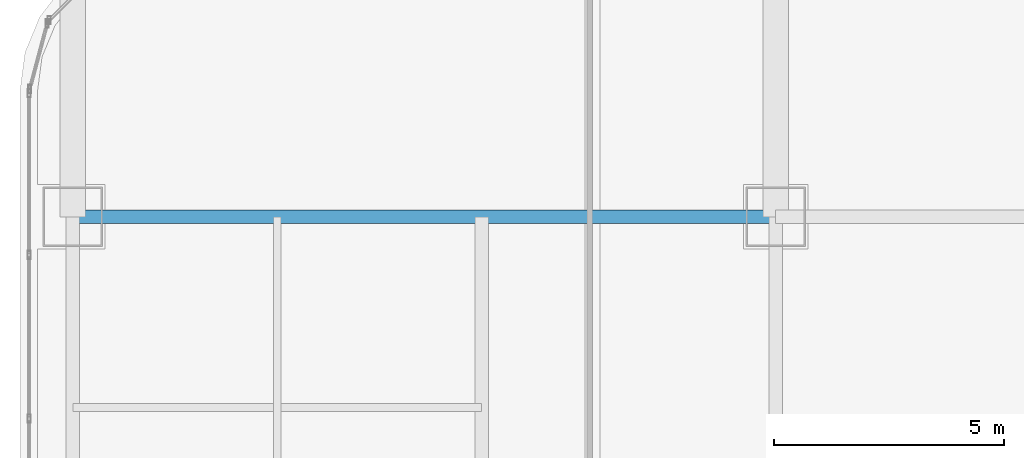
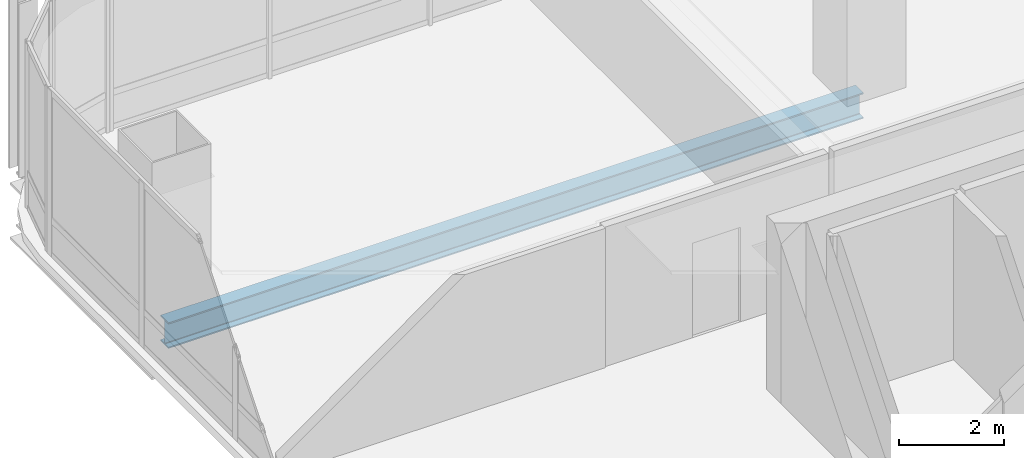
# One storey, part 23 of 40: 1 beam.
"""IFC4 building model written with IfcOpenShell, lengths in metres."""

from ifc_helpers import new_model, si_unit, direction, frame, origin, origin_2d, place, context, subcontext, project, spatial, i_section, extrude, material, material_profile, profile_set, type_object, element, save


model = new_model("IFC4")

# Units and contexts
model_context = context("Model", 3, precision=1e-05, world=origin(), true_north=direction((0.0, 1.0)))
body_context = subcontext(model_context, "Body", "Model", "MODEL_VIEW")
ifc_project = project(units=[si_unit("LENGTHUNIT", "METRE"), si_unit("AREAUNIT", "SQUARE_METRE"), si_unit("VOLUMEUNIT", "CUBIC_METRE"), si_unit("PLANEANGLEUNIT", "RADIAN"), si_unit("MASSUNIT", "GRAM", prefix="KILO")], contexts=[model_context])

# Site, building, storey
site_placement = place(None, origin())
site = spatial("IfcSite", under=ifc_project, at=site_placement, CompositionType="ELEMENT")
building_placement = place(site_placement, origin())
building = spatial("IfcBuilding", under=site, at=building_placement, Name="Punatoya Terracotta Tower", CompositionType="ELEMENT")
storey_placement = place(building_placement, frame((0.0, 0.0, 271.64990234375)))
storey = spatial("IfcBuildingStorey", under=building, at=storey_placement, Name="L64", CompositionType="ELEMENT", Elevation=271.64990234375)

# Beam
ifc_material = material(Name="Steel S355", Category="steel")
ifc_material_profile = material_profile(ifc_material, i_section(OverallWidth=0.300048828125, OverallDepth=0.60009765625, WebThickness=0.015380859375, FlangeThickness=0.030029296875, FilletRadius=0.01806640625, at=origin_2d()))
ifc_profile_set = profile_set([ifc_material_profile], Name="Steel S355")
beam_type = type_object("IfcBeamType", Name="BM-PRI-600", PredefinedType="BEAM", material=ifc_profile_set)
beam_placement = place(storey_placement, frame((-19.10009765625, 17.5, -0.5), z_axis=(1.0, 0.0, 0.0), x_axis=(0.0, 1.0, 0.0)))
element("IfcBeam", 1, at=beam_placement, inside=storey, type_object=beam_type, Name="BM-L64-RG-N1", PredefinedType="BEAM", context=body_context, shape_type="SweptSolid", body=[
    extrude(i_section(OverallWidth=0.300048828125, OverallDepth=0.60009765625, WebThickness=0.015380859375, FlangeThickness=0.030029296875, FilletRadius=0.01806640625, at=origin_2d()), origin(), (0.0, 0.0, 1.0), 15.300048828125),
])

save(model, "model.ifc")
